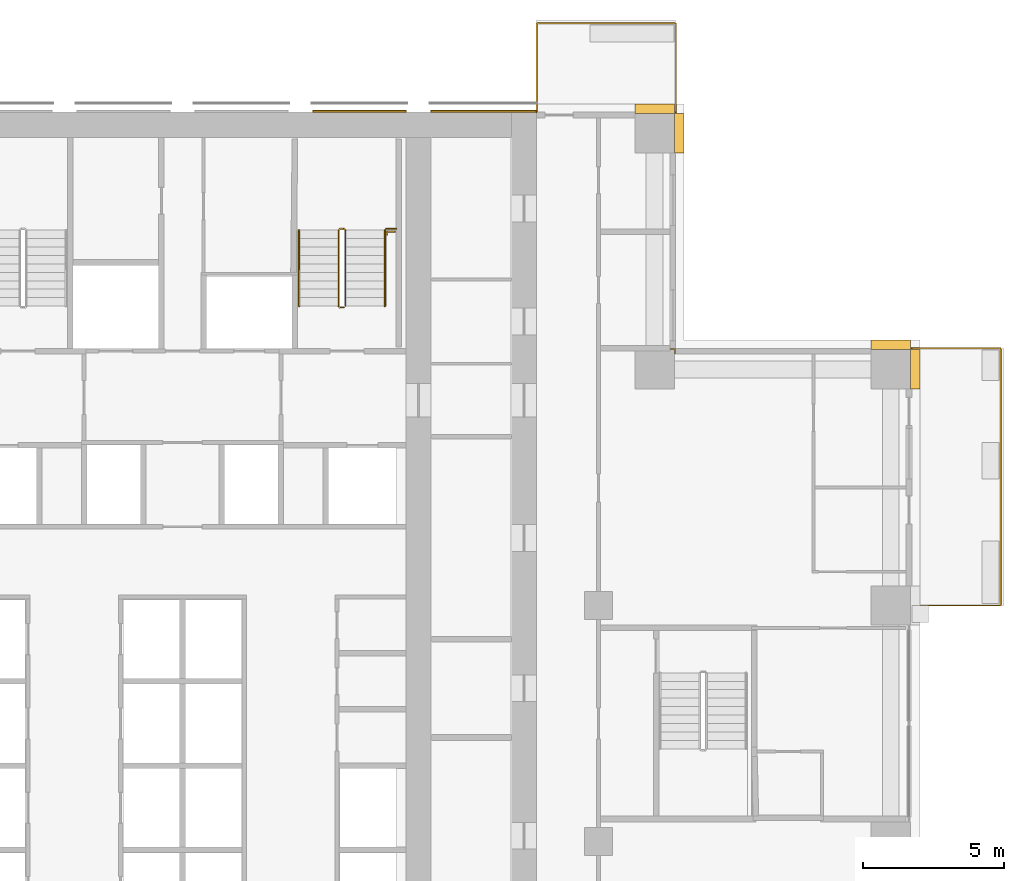
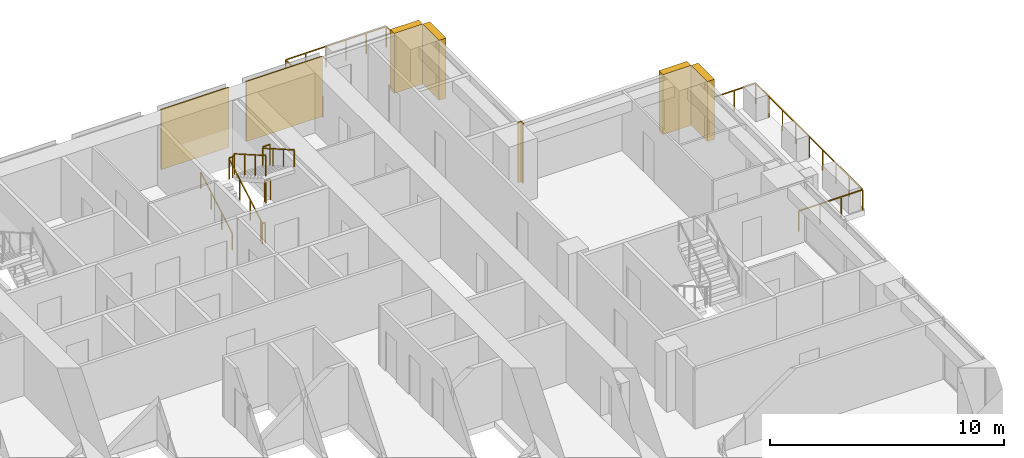
# One storey, part 16 of 16: 7 coverings, 7 railings.
"""IFC4 building model written with IfcOpenShell, lengths in metres."""

from ifc_helpers import new_model, si_unit, direction, frame, origin, origin_2d, place, context, subcontext, project, spatial, polyline, rectangle, outline, extrude, material, type_object, element, save


model = new_model("IFC4")

# Units and contexts
model_context = context("Model", 3, precision=1e-05, world=origin(), true_north=direction((0.0, 1.0)))
body_context = subcontext(model_context, "Body", "Model", "MODEL_VIEW")
ifc_project = project(units=[si_unit("LENGTHUNIT", "METRE"), si_unit("AREAUNIT", "SQUARE_METRE"), si_unit("VOLUMEUNIT", "CUBIC_METRE"), si_unit("PLANEANGLEUNIT", "RADIAN"), si_unit("MASSUNIT", "GRAM", prefix="KILO")], contexts=[model_context])

# Site, building, storey
site_placement = place(None, origin())
site = spatial("IfcSite", under=ifc_project, at=site_placement, CompositionType="ELEMENT")
building_placement = place(site_placement, origin())
building = spatial("IfcBuilding", under=site, at=building_placement, Name="Vermilion Ogive Tower", CompositionType="ELEMENT")
storey_placement = place(building_placement, frame((0.0, 0.0, 41.39990234375)))
storey = spatial("IfcBuildingStorey", under=building, at=storey_placement, Name="L08", CompositionType="ELEMENT", Elevation=41.39990234375)

# Railings
ifc_material_1 = material(Name="Stainless steel and glass", Category="steel")
railing_type_1 = type_object("IfcRailingType", Name="Balcony guard", PredefinedType="GUARDRAIL", material=ifc_material_1)
railing_1_placement = place(storey_placement, frame((25.949951171875, 4.199951171875, -0.039794921875)))
element("IfcRailing", 1, at=railing_1_placement, inside=storey, type_object=railing_type_1, Name="Guard E03", PredefinedType="GUARDRAIL", context=body_context, shape_type="SweptSolid", body=[
    extrude(rectangle(XDim=0.048095703125, YDim=0.048095703125, at=origin_2d()), frame((0.0, 0.0, 1.076171875), z_axis=(1.0, 0.0, 0.0), x_axis=(0.0, 1.0, 0.0)), (0.0, 0.0, 1.0), 3.16015625),
    extrude(rectangle(XDim=0.048095703125, YDim=0.048095703125, at=origin_2d()), frame((3.16015625, 0.0, 1.076171875), z_axis=(0.0, 1.0, 0.0), x_axis=(-1.0, 0.0, 0.0)), (0.0, 0.0, 1.0), 9.150146484375),
    extrude(rectangle(XDim=0.048095703125, YDim=0.048095703125, at=origin_2d()), frame((3.16015625, 9.150146484375, 1.076171875), z_axis=(-1.0, 0.0, 0.0), x_axis=(0.0, -1.0, 0.0)), (0.0, 0.0, 1.0), 3.16015625),
    extrude(rectangle(XDim=0.0419921875, YDim=0.0419921875, at=origin_2d()), origin(), (0.0, 0.0, 1.0), 1.052001953125),
    extrude(rectangle(XDim=0.0419921875, YDim=0.0419921875, at=origin_2d()), frame((1.053466796875, 0.0, 0.0)), (0.0, 0.0, 1.0), 1.052001953125),
    extrude(rectangle(XDim=0.0419921875, YDim=0.0419921875, at=origin_2d()), frame((2.106689453125, 0.0, 0.0)), (0.0, 0.0, 1.0), 1.052001953125),
    extrude(rectangle(XDim=0.0419921875, YDim=0.0419921875, at=origin_2d()), frame((3.16015625, 0.0, 0.0)), (0.0, 0.0, 1.0), 1.052001953125),
    extrude(rectangle(XDim=0.0419921875, YDim=0.0419921875, at=origin_2d()), frame((3.16015625, 1.143798828125, 0.0)), (0.0, 0.0, 1.0), 1.052001953125),
    extrude(rectangle(XDim=0.0419921875, YDim=0.0419921875, at=origin_2d()), frame((3.16015625, 2.28759765625, 0.0)), (0.0, 0.0, 1.0), 1.052001953125),
    extrude(rectangle(XDim=0.0419921875, YDim=0.0419921875, at=origin_2d()), frame((3.16015625, 3.431396484375, 0.0)), (0.0, 0.0, 1.0), 1.052001953125),
    extrude(rectangle(XDim=0.0419921875, YDim=0.0419921875, at=origin_2d()), frame((3.16015625, 4.5751953125, 0.0)), (0.0, 0.0, 1.0), 1.052001953125),
    extrude(rectangle(XDim=0.0419921875, YDim=0.0419921875, at=origin_2d()), frame((3.16015625, 5.71875, 0.0)), (0.0, 0.0, 1.0), 1.052001953125),
    extrude(rectangle(XDim=0.0419921875, YDim=0.0419921875, at=origin_2d()), frame((3.16015625, 6.862548828125, 0.0)), (0.0, 0.0, 1.0), 1.052001953125),
    extrude(rectangle(XDim=0.0419921875, YDim=0.0419921875, at=origin_2d()), frame((3.16015625, 8.00634765625, 0.0)), (0.0, 0.0, 1.0), 1.052001953125),
    extrude(rectangle(XDim=0.0419921875, YDim=0.0419921875, at=origin_2d()), frame((3.16015625, 9.150146484375, 0.0)), (0.0, 0.0, 1.0), 1.052001953125),
    extrude(rectangle(XDim=0.0419921875, YDim=0.0419921875, at=origin_2d()), frame((2.106689453125, 9.150146484375, 0.0)), (0.0, 0.0, 1.0), 1.052001953125),
    extrude(rectangle(XDim=0.0419921875, YDim=0.0419921875, at=origin_2d()), frame((1.053466796875, 9.150146484375, 0.0)), (0.0, 0.0, 1.0), 1.052001953125),
    extrude(rectangle(XDim=0.0419921875, YDim=0.0419921875, at=origin_2d()), frame((0.0, 9.150146484375, 0.0)), (0.0, 0.0, 1.0), 1.052001953125),
])
railing_2_placement = place(storey_placement, frame((17.550048828125, 21.75, -0.039794921875)))
element("IfcRailing", 2, at=railing_2_placement, inside=storey, type_object=railing_type_1, Name="Guard N101", PredefinedType="GUARDRAIL", context=body_context, shape_type="SweptSolid", body=[
    extrude(rectangle(XDim=0.048095703125, YDim=0.048095703125, at=origin_2d()), frame((0.0, 0.0, 1.076171875), z_axis=(0.0, 1.0, 0.0), x_axis=(-1.0, 0.0, 0.0)), (0.0, 0.0, 1.0), 3.159912109375),
    extrude(rectangle(XDim=0.048095703125, YDim=0.048095703125, at=origin_2d()), frame((0.0, 3.159912109375, 1.076171875), z_axis=(-1.0, 0.0, 0.0), x_axis=(0.0, -1.0, 0.0)), (0.0, 0.0, 1.0), 4.949951171875),
    extrude(rectangle(XDim=0.048095703125, YDim=0.048095703125, at=origin_2d()), frame((-4.949951171875, 3.159912109375, 1.076171875), z_axis=(0.0, -1.0, 0.0), x_axis=(1.0, 0.0, 0.0)), (0.0, 0.0, 1.0), 3.159912109375),
    extrude(rectangle(XDim=0.0419921875, YDim=0.0419921875, at=origin_2d()), origin(), (0.0, 0.0, 1.0), 1.052001953125),
    extrude(rectangle(XDim=0.0419921875, YDim=0.0419921875, at=origin_2d()), frame((0.0, 1.05322265625, 0.0)), (0.0, 0.0, 1.0), 1.052001953125),
    extrude(rectangle(XDim=0.0419921875, YDim=0.0419921875, at=origin_2d()), frame((0.0, 2.106689453125, 0.0)), (0.0, 0.0, 1.0), 1.052001953125),
    extrude(rectangle(XDim=0.0419921875, YDim=0.0419921875, at=origin_2d()), frame((0.0, 3.159912109375, 0.0)), (0.0, 0.0, 1.0), 1.052001953125),
    extrude(rectangle(XDim=0.0419921875, YDim=0.0419921875, at=origin_2d()), frame((-0.989990234375, 3.159912109375, 0.0)), (0.0, 0.0, 1.0), 1.052001953125),
    extrude(rectangle(XDim=0.0419921875, YDim=0.0419921875, at=origin_2d()), frame((-1.97998046875, 3.159912109375, 0.0)), (0.0, 0.0, 1.0), 1.052001953125),
    extrude(rectangle(XDim=0.0419921875, YDim=0.0419921875, at=origin_2d()), frame((-2.969970703125, 3.159912109375, 0.0)), (0.0, 0.0, 1.0), 1.052001953125),
    extrude(rectangle(XDim=0.0419921875, YDim=0.0419921875, at=origin_2d()), frame((-3.9599609375, 3.159912109375, 0.0)), (0.0, 0.0, 1.0), 1.052001953125),
    extrude(rectangle(XDim=0.0419921875, YDim=0.0419921875, at=origin_2d()), frame((-4.949951171875, 3.159912109375, 0.0)), (0.0, 0.0, 1.0), 1.052001953125),
    extrude(rectangle(XDim=0.0419921875, YDim=0.0419921875, at=origin_2d()), frame((-4.949951171875, 2.106689453125, 0.0)), (0.0, 0.0, 1.0), 1.052001953125),
    extrude(rectangle(XDim=0.0419921875, YDim=0.0419921875, at=origin_2d()), frame((-4.949951171875, 1.05322265625, 0.0)), (0.0, 0.0, 1.0), 1.052001953125),
    extrude(rectangle(XDim=0.0419921875, YDim=0.0419921875, at=origin_2d()), frame((-4.949951171875, 0.0, 0.0)), (0.0, 0.0, 1.0), 1.052001953125),
])
ifc_material_2 = material(Name="Steel S355 painted", Category="steel")
railing_type_2 = type_object("IfcRailingType", Name="Stair guard 1100", PredefinedType="GUARDRAIL", material=ifc_material_2)
railing_3_placement = place(storey_placement, frame((5.75, 14.800048828125, 0.0)))
element("IfcRailing", 3, at=railing_3_placement, inside=storey, type_object=railing_type_2, Name="L08 ST2 stair guard 4", PredefinedType="GUARDRAIL", context=body_context, shape_type="SweptSolid", body=[
    extrude(rectangle(XDim=0.048095703125, YDim=0.048095703125, at=origin_2d()), frame((0.0, 0.0, 1.076171875), z_axis=(-1.0, 0.0, 0.0), x_axis=(0.0, -1.0, 0.0)), (0.0, 0.0, 1.0), 0.14990234375),
    extrude(rectangle(XDim=0.048095703125, YDim=0.048095703125, at=origin_2d()), frame((-0.14990234375, 0.0, 1.076171875), z_axis=(-0.268277960024, 0.268277960024, 0.925231793839), x_axis=(-0.707106781187, -0.707106781187, 0.0)), (0.0, 0.0, 1.0), 0.1865234375),
    extrude(rectangle(XDim=0.048095703125, YDim=0.048095703125, at=origin_2d()), frame((-0.199951171875, 0.050048828125, 1.24853515625), z_axis=(0.0, 0.866903762492, 0.498475542607), x_axis=(-1.0, 0.0, 0.0)), (0.0, 0.0, 1.0), 3.114501953125),
    extrude(rectangle(XDim=0.048095703125, YDim=0.048095703125, at=origin_2d()), frame((-0.199951171875, 2.75, 2.80126953125), z_axis=(0.707106781187, 0.707106781187, 0.0), x_axis=(-0.707106781187, 0.707106781187, 0.0)), (0.0, 0.0, 1.0), 0.07080078125),
    extrude(rectangle(XDim=0.048095703125, YDim=0.048095703125, at=origin_2d()), frame((-0.14990234375, 2.800048828125, 2.80126953125), z_axis=(1.0, 0.0, 0.0), x_axis=(0.0, 1.0, 0.0)), (0.0, 0.0, 1.0), 0.14990234375),
    extrude(rectangle(XDim=0.048095703125, YDim=0.048095703125, at=origin_2d()), frame((0.0, 2.800048828125, 2.80126953125), z_axis=(0.268277960024, -0.268277960024, 0.925231793839), x_axis=(0.707106781187, 0.707106781187, 0.0)), (0.0, 0.0, 1.0), 0.1865234375),
    extrude(rectangle(XDim=0.048095703125, YDim=0.048095703125, at=origin_2d()), frame((0.050048828125, 2.75, 2.9736328125), z_axis=(0.0, -0.866903762492, 0.498475542607), x_axis=(1.0, 0.0, 0.0)), (0.0, 0.0, 1.0), 3.114501953125),
    extrude(rectangle(XDim=0.0419921875, YDim=0.0419921875, at=origin_2d()), origin(), (0.0, 0.0, 1.0), 1.052001953125),
    extrude(rectangle(XDim=0.0419921875, YDim=0.0419921875, at=origin_2d()), frame((-0.14990234375, 0.0, 0.0)), (0.0, 0.0, 1.0), 1.052001953125),
    extrude(rectangle(XDim=0.0419921875, YDim=0.0419921875, at=origin_2d()), frame((-0.199951171875, 0.050048828125, 0.172607421875)), (0.0, 0.0, 1.0), 1.052001953125),
    extrude(rectangle(XDim=0.0419921875, YDim=0.0419921875, at=origin_2d()), frame((-0.199951171875, 0.949951171875, 0.690185546875)), (0.0, 0.0, 1.0), 1.052001953125),
    extrude(rectangle(XDim=0.0419921875, YDim=0.0419921875, at=origin_2d()), frame((-0.199951171875, 1.85009765625, 1.20751953125)), (0.0, 0.0, 1.0), 1.052001953125),
    extrude(rectangle(XDim=0.0419921875, YDim=0.0419921875, at=origin_2d()), frame((-0.199951171875, 2.75, 1.72509765625)), (0.0, 0.0, 1.0), 1.052001953125),
    extrude(rectangle(XDim=0.0419921875, YDim=0.0419921875, at=origin_2d()), frame((-0.14990234375, 2.800048828125, 1.72509765625)), (0.0, 0.0, 1.0), 1.052001953125),
    extrude(rectangle(XDim=0.0419921875, YDim=0.0419921875, at=origin_2d()), frame((0.0, 2.800048828125, 1.72509765625)), (0.0, 0.0, 1.0), 1.052001953125),
    extrude(rectangle(XDim=0.0419921875, YDim=0.0419921875, at=origin_2d()), frame((0.050048828125, 2.75, 1.897705078125)), (0.0, 0.0, 1.0), 1.052001953125),
    extrude(rectangle(XDim=0.0419921875, YDim=0.0419921875, at=origin_2d()), frame((0.050048828125, 1.85009765625, 2.415283203125)), (0.0, 0.0, 1.0), 1.052001953125),
    extrude(rectangle(XDim=0.0419921875, YDim=0.0419921875, at=origin_2d()), frame((0.050048828125, 0.949951171875, 2.9326171875)), (0.0, 0.0, 1.0), 1.052001953125),
    extrude(rectangle(XDim=0.0419921875, YDim=0.0419921875, at=origin_2d()), frame((0.050048828125, 0.050048828125, 3.4501953125)), (0.0, 0.0, 1.0), 1.052001953125),
])
railing_4_placement = place(storey_placement, frame((7.25, 17.60009765625, 1.72509765625)))
element("IfcRailing", 4, at=railing_4_placement, inside=storey, type_object=railing_type_2, Name="L08 landing guard", PredefinedType="GUARDRAIL", context=body_context, shape_type="SweptSolid", body=[
    extrude(rectangle(XDim=0.048095703125, YDim=0.048095703125, at=origin_2d()), frame((0.0, 0.0, 1.076171875), z_axis=(1.0, 0.0, 0.0), x_axis=(0.0, 1.0, 0.0)), (0.0, 0.0, 1.0), 0.35009765625),
    extrude(rectangle(XDim=0.0419921875, YDim=0.0419921875, at=origin_2d()), origin(), (0.0, 0.0, 1.0), 1.052001953125),
    extrude(rectangle(XDim=0.0419921875, YDim=0.0419921875, at=origin_2d()), frame((0.35009765625, 0.0, 0.0)), (0.0, 0.0, 1.0), 1.052001953125),
])
railing_5_placement = place(storey_placement, frame((7.27294921875, 17.37451171875, 0.0)))
element("IfcRailing", 5, at=railing_5_placement, inside=storey, type_object=railing_type_2, Name="L08 stair opening guard", PredefinedType="GUARDRAIL", context=body_context, shape_type="SweptSolid", body=[
    extrude(rectangle(XDim=0.048095703125, YDim=0.048095703125, at=origin_2d()), frame((0.0, 0.0, 1.076171875), z_axis=(0.0, 1.0, 0.0), x_axis=(-1.0, 0.0, 0.0)), (0.0, 0.0, 1.0), 0.1201171875),
    extrude(rectangle(XDim=0.048095703125, YDim=0.048095703125, at=origin_2d()), frame((0.0, 0.1201171875, 1.076171875), z_axis=(1.0, 0.0, 0.0), x_axis=(0.0, 1.0, 0.0)), (0.0, 0.0, 1.0), 0.2900390625),
    extrude(rectangle(XDim=0.0419921875, YDim=0.0419921875, at=origin_2d()), origin(), (0.0, 0.0, 1.0), 1.052001953125),
    extrude(rectangle(XDim=0.0419921875, YDim=0.0419921875, at=origin_2d()), frame((0.0, 0.1201171875, 0.0)), (0.0, 0.0, 1.0), 1.052001953125),
    extrude(rectangle(XDim=0.0419921875, YDim=0.0419921875, at=origin_2d()), frame((0.2900390625, 0.1201171875, 0.0)), (0.0, 0.0, 1.0), 1.052001953125),
])
ifc_material_3 = material(Name="Stainless steel", Category="steel")
railing_type_3 = type_object("IfcRailingType", Name="Stair handrail 900", PredefinedType="HANDRAIL", material=ifc_material_3)
railing_6_placement = place(storey_placement, frame((4.14990234375, 14.85009765625, 0.172607421875)))
element("IfcRailing", 6, at=railing_6_placement, inside=storey, type_object=railing_type_3, Name="L08 ST2 stair handrail 1", PredefinedType="HANDRAIL", context=body_context, shape_type="SweptSolid", body=[
    extrude(rectangle(XDim=0.048095703125, YDim=0.048095703125, at=origin_2d()), frame((0.0, 0.0, 0.8759765625), z_axis=(0.0, 0.866903762492, 0.498475542607), x_axis=(-1.0, 0.0, 0.0)), (0.0, 0.0, 1.0), 3.114501953125),
    extrude(rectangle(XDim=0.0419921875, YDim=0.0419921875, at=origin_2d()), origin(), (0.0, 0.0, 1.0), 0.851806640625),
    extrude(rectangle(XDim=0.0419921875, YDim=0.0419921875, at=origin_2d()), frame((0.0, 0.89990234375, 0.517578125)), (0.0, 0.0, 1.0), 0.851806640625),
    extrude(rectangle(XDim=0.0419921875, YDim=0.0419921875, at=origin_2d()), frame((0.0, 1.800048828125, 1.034912109375)), (0.0, 0.0, 1.0), 0.851806640625),
    extrude(rectangle(XDim=0.0419921875, YDim=0.0419921875, at=origin_2d()), frame((0.0, 2.699951171875, 1.552490234375)), (0.0, 0.0, 1.0), 0.851806640625),
])
railing_7_placement = place(storey_placement, frame((7.199951171875, 17.550048828125, 1.897705078125)))
element("IfcRailing", 7, at=railing_7_placement, inside=storey, type_object=railing_type_3, Name="L08 ST2 stair handrail 2", PredefinedType="HANDRAIL", context=body_context, shape_type="SweptSolid", body=[
    extrude(rectangle(XDim=0.048095703125, YDim=0.048095703125, at=origin_2d()), frame((0.0, 0.0, 0.8759765625), z_axis=(0.0, -0.866903762492, 0.498475542607), x_axis=(1.0, 0.0, 0.0)), (0.0, 0.0, 1.0), 3.114501953125),
    extrude(rectangle(XDim=0.0419921875, YDim=0.0419921875, at=origin_2d()), origin(), (0.0, 0.0, 1.0), 0.851806640625),
    extrude(rectangle(XDim=0.0419921875, YDim=0.0419921875, at=origin_2d()), frame((0.0, -0.89990234375, 0.517578125)), (0.0, 0.0, 1.0), 0.851806640625),
    extrude(rectangle(XDim=0.0419921875, YDim=0.0419921875, at=origin_2d()), frame((0.0, -1.800048828125, 1.034912109375)), (0.0, 0.0, 1.0), 0.851806640625),
    extrude(rectangle(XDim=0.0419921875, YDim=0.0419921875, at=origin_2d()), frame((0.0, -2.699951171875, 1.552490234375)), (0.0, 0.0, 1.0), 0.851806640625),
])

# Coverings
ifc_material_4 = material(Name="Stone cladding", Category="masonry")
covering_type_1 = type_object("IfcCoveringType", Name="Stone cladding panel", PredefinedType="CLADDING", material=ifc_material_4)
covering_1_placement = place(storey_placement, origin())
element("IfcCovering", 8, at=covering_1_placement, inside=storey, type_object=covering_type_1, Name="Stone cladding panel N5", PredefinedType="CLADDING", context=body_context, shape_type="SweptSolid", body=[
    extrude(outline(polyline([(4.6298828125, 21.75), (7.969970703125, 21.75), (7.969970703125, 21.81005859375), (4.6298828125, 21.81005859375), (4.6298828125, 21.75)])), origin(), (0.0, 0.0, 1.0), 3.130126953125),
])
covering_2_placement = place(storey_placement, origin())
element("IfcCovering", 9, at=covering_2_placement, inside=storey, type_object=covering_type_1, Name="Stone cladding panel N6", PredefinedType="CLADDING", context=body_context, shape_type="SweptSolid", body=[
    extrude(outline(polyline([(8.830078125, 21.75), (12.590087890625, 21.75), (12.590087890625, 21.81005859375), (8.830078125, 21.81005859375), (8.830078125, 21.75)])), origin(), (0.0, 0.0, 1.0), 3.130126953125),
])
ifc_material_5 = material(Name="Stone cladding", Category="masonry")
covering_type_2 = type_object("IfcCoveringType", Name="Stone pier", PredefinedType="CLADDING", material=ifc_material_5)
covering_3_placement = place(storey_placement, origin())
element("IfcCovering", 10, at=covering_3_placement, inside=storey, type_object=covering_type_2, Name="Stone corner pier X3E1", PredefinedType="CLADDING", context=body_context, shape_type="SweptSolid", body=[
    extrude(outline(polyline([(17.5, 13.14990234375), (17.5, 13.300048828125), (17.35009765625, 13.300048828125), (17.35009765625, 13.35009765625), (17.550048828125, 13.35009765625), (17.550048828125, 13.14990234375), (17.5, 13.14990234375)])), origin(), (0.0, 0.0, 1.0), 3.130126953125),
])
covering_4_placement = place(storey_placement, origin())
element("IfcCovering", 11, at=covering_4_placement, inside=storey, type_object=covering_type_2, Name="Stone pier P+0168+210X4", PredefinedType="CLADDING", context=body_context, shape_type="SweptSolid", body=[
    extrude(outline(polyline([(17.85009765625, 21.699951171875), (17.85009765625, 20.300048828125), (17.5, 20.300048828125), (17.5, 21.699951171875), (17.85009765625, 21.699951171875)])), origin(), (0.0, 0.0, 1.0), 3.130126953125),
])
covering_5_placement = place(storey_placement, origin())
element("IfcCovering", 12, at=covering_5_placement, inside=storey, type_object=covering_type_2, Name="Stone pier P+0168+210N1", PredefinedType="CLADDING", context=body_context, shape_type="SweptSolid", body=[
    extrude(outline(polyline([(17.5, 22.050048828125), (17.5, 21.699951171875), (16.10009765625, 21.699951171875), (16.10009765625, 22.050048828125), (17.5, 22.050048828125)])), origin(), (0.0, 0.0, 1.0), 3.130126953125),
])
covering_6_placement = place(storey_placement, origin())
element("IfcCovering", 13, at=covering_6_placement, inside=storey, type_object=covering_type_2, Name="Stone pier P+0252+126E", PredefinedType="CLADDING", context=body_context, shape_type="SweptSolid", body=[
    extrude(outline(polyline([(26.25, 13.300048828125), (26.25, 11.89990234375), (25.89990234375, 11.89990234375), (25.89990234375, 13.300048828125), (26.25, 13.300048828125)])), origin(), (0.0, 0.0, 1.0), 3.130126953125),
])
covering_7_placement = place(storey_placement, origin())
element("IfcCovering", 14, at=covering_7_placement, inside=storey, type_object=covering_type_2, Name="Stone pier P+0252+126X3", PredefinedType="CLADDING", context=body_context, shape_type="SweptSolid", body=[
    extrude(outline(polyline([(25.89990234375, 13.64990234375), (25.89990234375, 13.300048828125), (24.5, 13.300048828125), (24.5, 13.64990234375), (25.89990234375, 13.64990234375)])), origin(), (0.0, 0.0, 1.0), 3.130126953125),
])

save(model, "model.ifc")
